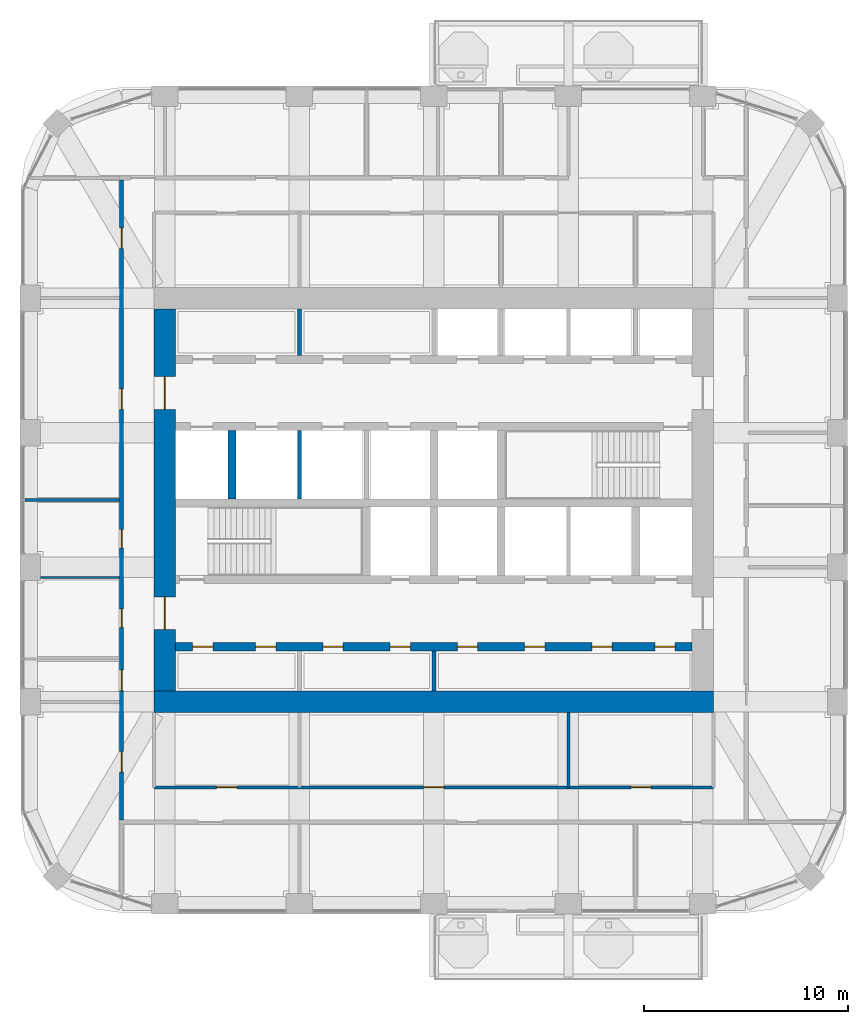
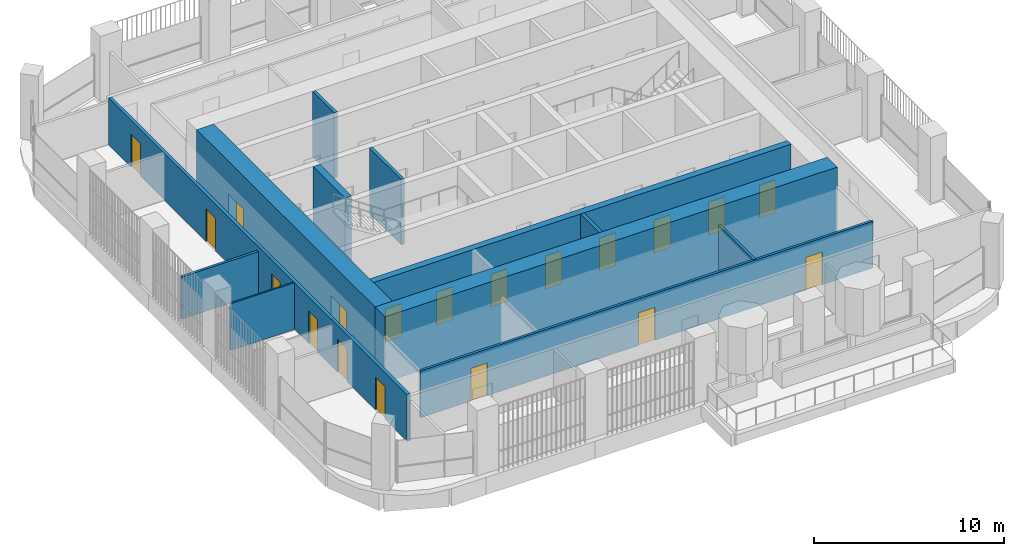
# One storey, part 14 of 21: 19 doors, 12 walls, 19 openings.
"""IFC4 building model written with IfcOpenShell, lengths in metres."""

from ifc_helpers import new_model, si_unit, direction, frame, frame_2d, origin, place, context, subcontext, project, spatial, rectangle, extrude, material, layer, layer_set, type_object, element, fill, save


model = new_model("IFC4")

# Units and contexts
model_context = context("Model", 3, precision=1e-05, world=origin(), true_north=direction((0.0, 1.0)))
body_context = subcontext(model_context, "Body", "Model", "MODEL_VIEW")
ifc_project = project(units=[si_unit("LENGTHUNIT", "METRE"), si_unit("AREAUNIT", "SQUARE_METRE"), si_unit("VOLUMEUNIT", "CUBIC_METRE"), si_unit("PLANEANGLEUNIT", "RADIAN"), si_unit("MASSUNIT", "GRAM", prefix="KILO")], contexts=[model_context])

# Site, building, storey
site_placement = place(None, origin())
site = spatial("IfcSite", under=ifc_project, at=site_placement, CompositionType="ELEMENT")
building_placement = place(site_placement, origin())
building = spatial("IfcBuilding", under=site, at=building_placement, Name="Cobogo Forest Laboratory Tower", CompositionType="ELEMENT")
storey_placement = place(building_placement, frame((0.0, 0.0, 241.800048828125)))
storey = spatial("IfcBuildingStorey", under=building, at=storey_placement, Name="L55", CompositionType="ELEMENT", Elevation=241.800048828125)

# Wall, openings, doors
ifc_material_1 = material(Name="Concrete HA-50 (C50/60)", Category="concrete")
ifc_layer_1 = layer(ifc_material_1, 0.39990234375)
ifc_layer_set_1 = layer_set([ifc_layer_1], Name="CI400 core inner wall 400")
wall_type_1 = type_object("IfcWallType", Name="CI400 core inner wall 400", PredefinedType="SHEAR", material=ifc_layer_set_1)
wall_1_placement = place(storey_placement, frame((13.72509765625, 15.89990234375, 0.0), z_axis=(0.0, 0.0, 1.0), x_axis=(1.0, 0.0, 0.0)))
wall_1 = element("IfcWall", 1, at=wall_1_placement, inside=storey, type_object=wall_type_1, Name="Core wall CI-15.9 L55", PredefinedType="SHEAR", context=body_context, shape_type="SweptSolid", body=[
    extrude(rectangle(XDim=25.349853515625, YDim=0.39990234375, at=frame_2d((12.6748046875, 0.0))), origin(), (0.0, 0.0, 1.0), 4.199951171875),
])
opening_1_placement = place(wall_1_placement, frame((0.83740234375, 0.0, 0.0)))
opening_1 = element("IfcOpeningElement", 2, at=opening_1_placement, cuts=wall_1, Name="Opening L55-D11", PredefinedType="OPENING", context=body_context, shape_type="SweptSolid", body=[
    extrude(rectangle(XDim=1.0, YDim=2.10009765625, at=frame_2d((0.5, 1.050048828125))), frame((0.0, 0.2099609375, 0.0), z_axis=(0.0, -1.0, 0.0), x_axis=(1.0, 0.0, 0.0)), (0.0, 0.0, 1.0), 0.419921875),
])
opening_2_placement = place(wall_1_placement, frame((3.925048828125, 0.0, 0.0)))
opening_2 = element("IfcOpeningElement", 3, at=opening_2_placement, cuts=wall_1, Name="Opening L55-D12", PredefinedType="OPENING", context=body_context, shape_type="SweptSolid", body=[
    extrude(rectangle(XDim=1.0, YDim=2.10009765625, at=frame_2d((0.5, 1.050048828125))), frame((0.0, 0.2099609375, 0.0), z_axis=(0.0, -1.0, 0.0), x_axis=(1.0, 0.0, 0.0)), (0.0, 0.0, 1.0), 0.419921875),
])
opening_3_placement = place(wall_1_placement, frame((7.22509765625, 0.0, 0.0)))
opening_3 = element("IfcOpeningElement", 4, at=opening_3_placement, cuts=wall_1, Name="Opening L55-D13", PredefinedType="OPENING", context=body_context, shape_type="SweptSolid", body=[
    extrude(rectangle(XDim=1.0, YDim=2.10009765625, at=frame_2d((0.5, 1.050048828125))), frame((0.0, 0.2099609375, 0.0), z_axis=(0.0, -1.0, 0.0), x_axis=(1.0, 0.0, 0.0)), (0.0, 0.0, 1.0), 0.419921875),
])
opening_4_placement = place(wall_1_placement, frame((10.52490234375, 0.0, 0.0)))
opening_4 = element("IfcOpeningElement", 5, at=opening_4_placement, cuts=wall_1, Name="Opening L55-D14", PredefinedType="OPENING", context=body_context, shape_type="SweptSolid", body=[
    extrude(rectangle(XDim=1.0, YDim=2.10009765625, at=frame_2d((0.5, 1.050048828125))), frame((0.0, 0.2099609375, 0.0), z_axis=(0.0, -1.0, 0.0), x_axis=(1.0, 0.0, 0.0)), (0.0, 0.0, 1.0), 0.419921875),
])
opening_5_placement = place(wall_1_placement, frame((13.824951171875, 0.0, 0.0)))
opening_5 = element("IfcOpeningElement", 6, at=opening_5_placement, cuts=wall_1, Name="Opening L55-D15", PredefinedType="OPENING", context=body_context, shape_type="SweptSolid", body=[
    extrude(rectangle(XDim=1.0, YDim=2.10009765625, at=frame_2d((0.5, 1.050048828125))), frame((0.0, 0.2099609375, 0.0), z_axis=(0.0, -1.0, 0.0), x_axis=(1.0, 0.0, 0.0)), (0.0, 0.0, 1.0), 0.419921875),
])
opening_6_placement = place(wall_1_placement, frame((17.125, 0.0, 0.0)))
opening_6 = element("IfcOpeningElement", 7, at=opening_6_placement, cuts=wall_1, Name="Opening L55-D16", PredefinedType="OPENING", context=body_context, shape_type="SweptSolid", body=[
    extrude(rectangle(XDim=1.0, YDim=2.10009765625, at=frame_2d((0.5, 1.050048828125))), frame((0.0, 0.2099609375, 0.0), z_axis=(0.0, -1.0, 0.0), x_axis=(1.0, 0.0, 0.0)), (0.0, 0.0, 1.0), 0.419921875),
])
opening_7_placement = place(wall_1_placement, frame((20.425048828125, 0.0, 0.0)))
opening_7 = element("IfcOpeningElement", 8, at=opening_7_placement, cuts=wall_1, Name="Opening L55-D17", PredefinedType="OPENING", context=body_context, shape_type="SweptSolid", body=[
    extrude(rectangle(XDim=1.0, YDim=2.10009765625, at=frame_2d((0.5, 1.050048828125))), frame((0.0, 0.2099609375, 0.0), z_axis=(0.0, -1.0, 0.0), x_axis=(1.0, 0.0, 0.0)), (0.0, 0.0, 1.0), 0.419921875),
])
opening_8_placement = place(wall_1_placement, frame((23.512451171875, 0.0, 0.0)))
opening_8 = element("IfcOpeningElement", 9, at=opening_8_placement, cuts=wall_1, Name="Opening L55-D18", PredefinedType="OPENING", context=body_context, shape_type="SweptSolid", body=[
    extrude(rectangle(XDim=1.0, YDim=2.10009765625, at=frame_2d((0.5, 1.050048828125))), frame((0.0, 0.2099609375, 0.0), z_axis=(0.0, -1.0, 0.0), x_axis=(1.0, 0.0, 0.0)), (0.0, 0.0, 1.0), 0.419921875),
])
ifc_material_2 = material(Name="Steel fire door", Category="steel")
door_type_1 = type_object("IfcDoorType", Name="FD1 fire door 1000 EI2 60", OperationType="SINGLE_SWING_LEFT", PredefinedType="DOOR", material=ifc_material_2)
door_1_placement = place(opening_1_placement, origin())
door_1 = element("IfcDoor", 10, at=door_1_placement, inside=storey, type_object=door_type_1, Name="Door L55-SH-LA1", OperationType="SINGLE_SWING_LEFT", OverallHeight=2.10009765625, OverallWidth=1.0, PredefinedType="DOOR", context=body_context, shape_type="SweptSolid", body=[
    extrude(rectangle(XDim=1.0, YDim=2.10009765625, at=frame_2d((0.5, 1.050048828125))), frame((0.0, 0.02490234375, 0.0), z_axis=(0.0, -1.0, 0.0), x_axis=(1.0, 0.0, 0.0)), (0.0, 0.0, 1.0), 0.050048828125),
])
fill(opening_1, door_1)
door_2_placement = place(opening_2_placement, origin())
door_2 = element("IfcDoor", 11, at=door_2_placement, inside=storey, type_object=door_type_1, Name="Door L55-SH-LA2", OperationType="SINGLE_SWING_LEFT", OverallHeight=2.10009765625, OverallWidth=1.0, PredefinedType="DOOR", context=body_context, shape_type="SweptSolid", body=[
    extrude(rectangle(XDim=1.0, YDim=2.10009765625, at=frame_2d((0.5, 1.050048828125))), frame((0.0, 0.02490234375, 0.0), z_axis=(0.0, -1.0, 0.0), x_axis=(1.0, 0.0, 0.0)), (0.0, 0.0, 1.0), 0.050048828125),
])
fill(opening_2, door_2)
door_3_placement = place(opening_3_placement, origin())
door_3 = element("IfcDoor", 12, at=door_3_placement, inside=storey, type_object=door_type_1, Name="Door L55-SH-LA3", OperationType="SINGLE_SWING_LEFT", OverallHeight=2.10009765625, OverallWidth=1.0, PredefinedType="DOOR", context=body_context, shape_type="SweptSolid", body=[
    extrude(rectangle(XDim=1.0, YDim=2.10009765625, at=frame_2d((0.5, 1.050048828125))), frame((0.0, 0.02490234375, 0.0), z_axis=(0.0, -1.0, 0.0), x_axis=(1.0, 0.0, 0.0)), (0.0, 0.0, 1.0), 0.050048828125),
])
fill(opening_3, door_3)
door_4_placement = place(opening_4_placement, origin())
door_4 = element("IfcDoor", 13, at=door_4_placement, inside=storey, type_object=door_type_1, Name="Door L55-SH-LA4", OperationType="SINGLE_SWING_LEFT", OverallHeight=2.10009765625, OverallWidth=1.0, PredefinedType="DOOR", context=body_context, shape_type="SweptSolid", body=[
    extrude(rectangle(XDim=1.0, YDim=2.10009765625, at=frame_2d((0.5, 1.050048828125))), frame((0.0, 0.02490234375, 0.0), z_axis=(0.0, -1.0, 0.0), x_axis=(1.0, 0.0, 0.0)), (0.0, 0.0, 1.0), 0.050048828125),
])
fill(opening_4, door_4)
door_5_placement = place(opening_5_placement, origin())
door_5 = element("IfcDoor", 14, at=door_5_placement, inside=storey, type_object=door_type_1, Name="Door L55-SH-LB1", OperationType="SINGLE_SWING_RIGHT", OverallHeight=2.10009765625, OverallWidth=1.0, PredefinedType="DOOR", context=body_context, shape_type="SweptSolid", body=[
    extrude(rectangle(XDim=1.0, YDim=2.10009765625, at=frame_2d((0.5, 1.050048828125))), frame((0.0, 0.02490234375, 0.0), z_axis=(0.0, -1.0, 0.0), x_axis=(1.0, 0.0, 0.0)), (0.0, 0.0, 1.0), 0.050048828125),
])
fill(opening_5, door_5)
door_6_placement = place(opening_6_placement, origin())
door_6 = element("IfcDoor", 15, at=door_6_placement, inside=storey, type_object=door_type_1, Name="Door L55-SH-LB2", OperationType="SINGLE_SWING_RIGHT", OverallHeight=2.10009765625, OverallWidth=1.0, PredefinedType="DOOR", context=body_context, shape_type="SweptSolid", body=[
    extrude(rectangle(XDim=1.0, YDim=2.10009765625, at=frame_2d((0.5, 1.050048828125))), frame((0.0, 0.02490234375, 0.0), z_axis=(0.0, -1.0, 0.0), x_axis=(1.0, 0.0, 0.0)), (0.0, 0.0, 1.0), 0.050048828125),
])
fill(opening_6, door_6)
door_7_placement = place(opening_7_placement, origin())
door_7 = element("IfcDoor", 16, at=door_7_placement, inside=storey, type_object=door_type_1, Name="Door L55-SH-LB3", OperationType="SINGLE_SWING_RIGHT", OverallHeight=2.10009765625, OverallWidth=1.0, PredefinedType="DOOR", context=body_context, shape_type="SweptSolid", body=[
    extrude(rectangle(XDim=1.0, YDim=2.10009765625, at=frame_2d((0.5, 1.050048828125))), frame((0.0, 0.02490234375, 0.0), z_axis=(0.0, -1.0, 0.0), x_axis=(1.0, 0.0, 0.0)), (0.0, 0.0, 1.0), 0.050048828125),
])
fill(opening_7, door_7)
door_8_placement = place(opening_8_placement, origin())
door_8 = element("IfcDoor", 17, at=door_8_placement, inside=storey, type_object=door_type_1, Name="Door L55-SH-LB4", OperationType="SINGLE_SWING_RIGHT", OverallHeight=2.10009765625, OverallWidth=1.0, PredefinedType="DOOR", context=body_context, shape_type="SweptSolid", body=[
    extrude(rectangle(XDim=1.0, YDim=2.10009765625, at=frame_2d((0.5, 1.050048828125))), frame((0.0, 0.02490234375, 0.0), z_axis=(0.0, -1.0, 0.0), x_axis=(1.0, 0.0, 0.0)), (0.0, 0.0, 1.0), 0.050048828125),
])
fill(opening_8, door_8)

# Walls
wall_2_placement = place(storey_placement, frame((16.5, 23.14990234375, 0.0), z_axis=(0.0, 0.0, 1.0), x_axis=(0.0, 1.0, 0.0)))
element("IfcWall", 18, at=wall_2_placement, inside=storey, type_object=wall_type_1, Name="Core wall CX-16.5 L55", PredefinedType="SHEAR", context=body_context, shape_type="SweptSolid", body=[
    extrude(rectangle(XDim=3.35009765625, YDim=0.39990234375, at=frame_2d((1.675048828125, 0.0))), origin(), (0.0, 0.0, 1.0), 4.199951171875),
])
ifc_layer_2 = layer(ifc_material_1, 1.050048828125)
ifc_layer_set_2 = layer_set([ifc_layer_2], Name="CW1050 core outer wall 1050")
wall_type_2 = type_object("IfcWallType", Name="CW1050 core outer wall 1050", PredefinedType="SHEAR", material=ifc_layer_set_2)
wall_3_placement = place(storey_placement, frame((12.675048828125, 13.199951171875, 0.0), z_axis=(0.0, 0.0, 1.0), x_axis=(1.0, 0.0, 0.0)))
element("IfcWall", 19, at=wall_3_placement, inside=storey, type_object=wall_type_2, Name="Core wall CO-S L55", PredefinedType="SHEAR", context=body_context, shape_type="SweptSolid", body=[
    extrude(rectangle(XDim=27.449951171875, YDim=1.050048828125, at=frame_2d((13.72509765625, 0.0))), origin(), (0.0, 0.0, 1.0), 4.199951171875),
])

# Wall, openings, doors
wall_4_placement = place(storey_placement, frame((13.199951171875, 32.47509765625, 0.0), z_axis=(0.0, 0.0, 1.0), x_axis=(0.0, -1.0, 0.0)))
wall_4 = element("IfcWall", 20, at=wall_4_placement, inside=storey, type_object=wall_type_2, Name="Core wall CO-W L55", PredefinedType="SHEAR", context=body_context, shape_type="SweptSolid", body=[
    extrude(rectangle(XDim=18.75, YDim=1.050048828125, at=frame_2d((9.375, 0.0))), origin(), (0.0, 0.0, 1.0), 4.199951171875),
])
opening_9_placement = place(wall_4_placement, frame((14.125, 0.0, 0.0)))
opening_9 = element("IfcOpeningElement", 21, at=opening_9_placement, cuts=wall_4, Name="Opening L55-D20", PredefinedType="OPENING", context=body_context, shape_type="SweptSolid", body=[
    extrude(rectangle(XDim=1.60009765625, YDim=2.10009765625, at=frame_2d((0.800048828125, 1.050048828125))), frame((0.0, 0.534912109375, 0.0), z_axis=(0.0, -1.0, 0.0), x_axis=(1.0, 0.0, 0.0)), (0.0, 0.0, 1.0), 1.070068359375),
])
opening_10_placement = place(wall_4_placement, frame((3.324951171875, 0.0, 0.0)))
opening_10 = element("IfcOpeningElement", 22, at=opening_10_placement, cuts=wall_4, Name="Opening L55-D30", PredefinedType="OPENING", context=body_context, shape_type="SweptSolid", body=[
    extrude(rectangle(XDim=1.60009765625, YDim=2.10009765625, at=frame_2d((0.800048828125, 1.050048828125))), frame((0.0, 0.534912109375, 0.0), z_axis=(0.0, -1.0, 0.0), x_axis=(1.0, 0.0, 0.0)), (0.0, 0.0, 1.0), 1.070068359375),
])
door_type_2 = type_object("IfcDoorType", Name="DS2 protected lobby door pair 1600 EI2 60", OperationType="DOUBLE_DOOR_DOUBLE_SWING", PredefinedType="DOOR", material=ifc_material_2)
door_9_placement = place(opening_9_placement, origin())
door_9 = element("IfcDoor", 23, at=door_9_placement, inside=storey, type_object=door_type_2, Name="Door L55-CO-W-S", OperationType="DOUBLE_DOOR_DOUBLE_SWING", OverallHeight=2.10009765625, OverallWidth=1.60009765625, PredefinedType="DOOR", context=body_context, shape_type="SweptSolid", body=[
    extrude(rectangle(XDim=1.60009765625, YDim=2.10009765625, at=frame_2d((0.800048828125, 1.050048828125))), frame((0.0, 0.02490234375, 0.0), z_axis=(0.0, -1.0, 0.0), x_axis=(1.0, 0.0, 0.0)), (0.0, 0.0, 1.0), 0.050048828125),
])
fill(opening_9, door_9)
door_10_placement = place(opening_10_placement, origin())
door_10 = element("IfcDoor", 24, at=door_10_placement, inside=storey, type_object=door_type_2, Name="Door L55-CO-W-N", OperationType="DOUBLE_DOOR_DOUBLE_SWING", OverallHeight=2.10009765625, OverallWidth=1.60009765625, PredefinedType="DOOR", context=body_context, shape_type="SweptSolid", body=[
    extrude(rectangle(XDim=1.60009765625, YDim=2.10009765625, at=frame_2d((0.800048828125, 1.050048828125))), frame((0.0, 0.02490234375, 0.0), z_axis=(0.0, -1.0, 0.0), x_axis=(1.0, 0.0, 0.0)), (0.0, 0.0, 1.0), 0.050048828125),
])
fill(opening_10, door_10)

ifc_material_3 = material(Name="Gypsum board on steel studs", Category="steel")
ifc_layer_3 = layer(ifc_material_3, 0.14990234375)
ifc_layer_set_3 = layer_set([ifc_layer_3], Name="PT1 laboratory partition 150")
wall_type_3 = type_object("IfcWallType", Name="PT1 laboratory partition 150", PredefinedType="PARTITIONING", material=ifc_layer_set_3)
wall_5_placement = place(storey_placement, frame((12.675048828125, 9.0, 0.0), z_axis=(0.0, 0.0, 1.0), x_axis=(1.0, 0.0, 0.0)))
wall_5 = element("IfcWall", 25, at=wall_5_placement, inside=storey, type_object=wall_type_3, Name="Partition CSTRIP-S L55", PredefinedType="PARTITIONING", context=body_context, shape_type="SweptSolid", body=[
    extrude(rectangle(XDim=27.449951171875, YDim=0.14990234375, at=frame_2d((13.72509765625, 0.0))), origin(), (0.0, 0.0, 1.0), 3.0),
])
opening_11_placement = place(wall_5_placement, frame((3.0625, 0.0, 0.0)))
opening_11 = element("IfcOpeningElement", 26, at=opening_11_placement, cuts=wall_5, Name="Opening L55-D05", PredefinedType="OPENING", context=body_context, shape_type="SweptSolid", body=[
    extrude(rectangle(XDim=1.0, YDim=2.10009765625, at=frame_2d((0.5, 1.050048828125))), frame((0.0, 0.0849609375, 0.0), z_axis=(0.0, -1.0, 0.0), x_axis=(1.0, 0.0, 0.0)), (0.0, 0.0, 1.0), 0.169921875),
])
opening_12_placement = place(wall_5_placement, frame((13.22509765625, 0.0, 0.0)))
opening_12 = element("IfcOpeningElement", 27, at=opening_12_placement, cuts=wall_5, Name="Opening L55-D06", PredefinedType="OPENING", context=body_context, shape_type="SweptSolid", body=[
    extrude(rectangle(XDim=1.0, YDim=2.10009765625, at=frame_2d((0.5, 1.050048828125))), frame((0.0, 0.0849609375, 0.0), z_axis=(0.0, -1.0, 0.0), x_axis=(1.0, 0.0, 0.0)), (0.0, 0.0, 1.0), 0.169921875),
])
opening_13_placement = place(wall_5_placement, frame((23.387451171875, 0.0, 0.0)))
opening_13 = element("IfcOpeningElement", 28, at=opening_13_placement, cuts=wall_5, Name="Opening L55-D07", PredefinedType="OPENING", context=body_context, shape_type="SweptSolid", body=[
    extrude(rectangle(XDim=1.0, YDim=2.10009765625, at=frame_2d((0.5, 1.050048828125))), frame((0.0, 0.0849609375, 0.0), z_axis=(0.0, -1.0, 0.0), x_axis=(1.0, 0.0, 0.0)), (0.0, 0.0, 1.0), 0.169921875),
])
ifc_material_4 = material(Name="Timber fire door", Category="wood")
door_type_3 = type_object("IfcDoorType", Name="FD2 fire door 1000 EI2 30", OperationType="SINGLE_SWING_LEFT", PredefinedType="DOOR", material=ifc_material_4)
door_11_placement = place(opening_11_placement, origin())
door_11 = element("IfcDoor", 29, at=door_11_placement, inside=storey, type_object=door_type_3, Name="Door L55-CSS1", OperationType="SINGLE_SWING_LEFT", OverallHeight=2.10009765625, OverallWidth=1.0, PredefinedType="DOOR", context=body_context, shape_type="SweptSolid", body=[
    extrude(rectangle(XDim=1.0, YDim=2.10009765625, at=frame_2d((0.5, 1.050048828125))), frame((0.0, 0.02490234375, 0.0), z_axis=(0.0, -1.0, 0.0), x_axis=(1.0, 0.0, 0.0)), (0.0, 0.0, 1.0), 0.050048828125),
])
fill(opening_11, door_11)
door_12_placement = place(opening_12_placement, origin())
door_12 = element("IfcDoor", 30, at=door_12_placement, inside=storey, type_object=door_type_3, Name="Door L55-CSS2", OperationType="SINGLE_SWING_RIGHT", OverallHeight=2.10009765625, OverallWidth=1.0, PredefinedType="DOOR", context=body_context, shape_type="SweptSolid", body=[
    extrude(rectangle(XDim=1.0, YDim=2.10009765625, at=frame_2d((0.5, 1.050048828125))), frame((0.0, 0.02490234375, 0.0), z_axis=(0.0, -1.0, 0.0), x_axis=(1.0, 0.0, 0.0)), (0.0, 0.0, 1.0), 0.050048828125),
])
fill(opening_12, door_12)
door_13_placement = place(opening_13_placement, origin())
door_13 = element("IfcDoor", 31, at=door_13_placement, inside=storey, type_object=door_type_3, Name="Door L55-CSS3", OperationType="SINGLE_SWING_RIGHT", OverallHeight=2.10009765625, OverallWidth=1.0, PredefinedType="DOOR", context=body_context, shape_type="SweptSolid", body=[
    extrude(rectangle(XDim=1.0, YDim=2.10009765625, at=frame_2d((0.5, 1.050048828125))), frame((0.0, 0.02490234375, 0.0), z_axis=(0.0, -1.0, 0.0), x_axis=(1.0, 0.0, 0.0)), (0.0, 0.0, 1.0), 0.050048828125),
])
fill(opening_13, door_13)

# Walls
wall_6_placement = place(storey_placement, frame((33.0, 12.675048828125, 0.0), z_axis=(0.0, 0.0, 1.0), x_axis=(0.0, -1.0, 0.0)))
element("IfcWall", 32, at=wall_6_placement, inside=storey, type_object=wall_type_3, Name="Partition CSTRIP-S33 L55", PredefinedType="PARTITIONING", context=body_context, shape_type="SweptSolid", body=[
    extrude(rectangle(XDim=3.675048828125, YDim=0.14990234375, at=frame_2d((1.83740234375, 0.0))), origin(), (0.0, 0.0, 1.0), 3.0),
])
wall_7_placement = place(storey_placement, frame((6.330078125, 23.10009765625, 0.0), z_axis=(0.0, 0.0, 1.0), x_axis=(1.0, 0.0, 0.0)))
element("IfcWall", 33, at=wall_7_placement, inside=storey, type_object=wall_type_3, Name="Partition SVC-W3-1 L55", PredefinedType="PARTITIONING", context=body_context, shape_type="SweptSolid", body=[
    extrude(rectangle(XDim=4.64501953125, YDim=0.14990234375, at=frame_2d((2.322509765625, 0.0))), origin(), (0.0, 0.0, 1.0), 2.699951171875),
])

# Wall, openings, doors
ifc_layer_4 = layer(ifc_material_3, 0.199951171875)
ifc_layer_set_4 = layer_set([ifc_layer_4], Name="PT2 fire-rated corridor partition 200")
wall_type_4 = type_object("IfcWallType", Name="PT2 fire-rated corridor partition 200", PredefinedType="PARTITIONING", material=ifc_layer_set_4)
wall_8_placement = place(storey_placement, frame((11.074951171875, 7.39990234375, 0.0), z_axis=(0.0, 0.0, 1.0), x_axis=(0.0, 1.0, 0.0)))
wall_8 = element("IfcWall", 34, at=wall_8_placement, inside=storey, type_object=wall_type_4, Name="Partition CORR-W L55", PredefinedType="PARTITIONING", context=body_context, shape_type="SweptSolid", body=[
    extrude(rectangle(XDim=31.400146484375, YDim=0.199951171875, at=frame_2d((15.7001953125, 0.0))), origin(), (0.0, 0.0, 1.0), 3.0),
])
opening_14_placement = place(wall_8_placement, frame((2.35009765625, 0.0, 0.0)))
opening_14 = element("IfcOpeningElement", 35, at=opening_14_placement, cuts=wall_8, Name="Opening L55-D08", PredefinedType="OPENING", context=body_context, shape_type="SweptSolid", body=[
    extrude(rectangle(XDim=1.0, YDim=2.10009765625, at=frame_2d((0.5, 1.050048828125))), frame((0.0, 0.10986328125, 0.0), z_axis=(0.0, -1.0, 0.0), x_axis=(1.0, 0.0, 0.0)), (0.0, 0.0, 1.0), 0.219970703125),
])
opening_15_placement = place(wall_8_placement, frame((6.35009765625, 0.0, 0.0)))
opening_15 = element("IfcOpeningElement", 36, at=opening_15_placement, cuts=wall_8, Name="Opening L55-D10", PredefinedType="OPENING", context=body_context, shape_type="SweptSolid", body=[
    extrude(rectangle(XDim=1.0, YDim=2.10009765625, at=frame_2d((0.5, 1.050048828125))), frame((0.0, 0.10986328125, 0.0), z_axis=(0.0, -1.0, 0.0), x_axis=(1.0, 0.0, 0.0)), (0.0, 0.0, 1.0), 0.219970703125),
])
opening_16_placement = place(wall_8_placement, frame((9.449951171875, 0.0, 0.0)))
opening_16 = element("IfcOpeningElement", 37, at=opening_16_placement, cuts=wall_8, Name="Opening L55-D19", PredefinedType="OPENING", context=body_context, shape_type="SweptSolid", body=[
    extrude(rectangle(XDim=0.89990234375, YDim=2.10009765625, at=frame_2d((0.449951171875, 1.050048828125))), frame((0.0, 0.10986328125, 0.0), z_axis=(0.0, -1.0, 0.0), x_axis=(1.0, 0.0, 0.0)), (0.0, 0.0, 1.0), 0.219970703125),
])
opening_17_placement = place(wall_8_placement, frame((13.35009765625, 0.0, 0.0)))
opening_17 = element("IfcOpeningElement", 38, at=opening_17_placement, cuts=wall_8, Name="Opening L55-D25", PredefinedType="OPENING", context=body_context, shape_type="SweptSolid", body=[
    extrude(rectangle(XDim=0.89990234375, YDim=2.10009765625, at=frame_2d((0.449951171875, 1.050048828125))), frame((0.0, 0.10986328125, 0.0), z_axis=(0.0, -1.0, 0.0), x_axis=(1.0, 0.0, 0.0)), (0.0, 0.0, 1.0), 0.219970703125),
])
opening_18_placement = place(wall_8_placement, frame((20.14990234375, 0.0, 0.0)))
opening_18 = element("IfcOpeningElement", 39, at=opening_18_placement, cuts=wall_8, Name="Opening L55-D29", PredefinedType="OPENING", context=body_context, shape_type="SweptSolid", body=[
    extrude(rectangle(XDim=1.0, YDim=2.10009765625, at=frame_2d((0.5, 1.050048828125))), frame((0.0, 0.10986328125, 0.0), z_axis=(0.0, -1.0, 0.0), x_axis=(1.0, 0.0, 0.0)), (0.0, 0.0, 1.0), 0.219970703125),
])
opening_19_placement = place(wall_8_placement, frame((28.050048828125, 0.0, 0.0)))
opening_19 = element("IfcOpeningElement", 40, at=opening_19_placement, cuts=wall_8, Name="Opening L55-D37", PredefinedType="OPENING", context=body_context, shape_type="SweptSolid", body=[
    extrude(rectangle(XDim=1.0, YDim=2.10009765625, at=frame_2d((0.5, 1.050048828125))), frame((0.0, 0.10986328125, 0.0), z_axis=(0.0, -1.0, 0.0), x_axis=(1.0, 0.0, 0.0)), (0.0, 0.0, 1.0), 0.219970703125),
])
door_14_placement = place(opening_14_placement, origin())
door_14 = element("IfcDoor", 41, at=door_14_placement, inside=storey, type_object=door_type_3, Name="Door L55-W1", OperationType="SINGLE_SWING_LEFT", OverallHeight=2.10009765625, OverallWidth=1.0, PredefinedType="DOOR", context=body_context, shape_type="SweptSolid", body=[
    extrude(rectangle(XDim=1.0, YDim=2.10009765625, at=frame_2d((0.5, 1.050048828125))), frame((0.0, 0.02490234375, 0.0), z_axis=(0.0, -1.0, 0.0), x_axis=(1.0, 0.0, 0.0)), (0.0, 0.0, 1.0), 0.050048828125),
])
fill(opening_14, door_14)
door_15_placement = place(opening_18_placement, origin())
door_15 = element("IfcDoor", 42, at=door_15_placement, inside=storey, type_object=door_type_3, Name="Door L55-W2", OperationType="SINGLE_SWING_RIGHT", OverallHeight=2.10009765625, OverallWidth=1.0, PredefinedType="DOOR", context=body_context, shape_type="SweptSolid", body=[
    extrude(rectangle(XDim=1.0, YDim=2.10009765625, at=frame_2d((0.5, 1.050048828125))), frame((0.0, 0.02490234375, 0.0), z_axis=(0.0, -1.0, 0.0), x_axis=(1.0, 0.0, 0.0)), (0.0, 0.0, 1.0), 0.050048828125),
])
fill(opening_18, door_15)
door_16_placement = place(opening_19_placement, origin())
door_16 = element("IfcDoor", 43, at=door_16_placement, inside=storey, type_object=door_type_3, Name="Door L55-W3", OperationType="SINGLE_SWING_RIGHT", OverallHeight=2.10009765625, OverallWidth=1.0, PredefinedType="DOOR", context=body_context, shape_type="SweptSolid", body=[
    extrude(rectangle(XDim=1.0, YDim=2.10009765625, at=frame_2d((0.5, 1.050048828125))), frame((0.0, 0.02490234375, 0.0), z_axis=(0.0, -1.0, 0.0), x_axis=(1.0, 0.0, 0.0)), (0.0, 0.0, 1.0), 0.050048828125),
])
fill(opening_19, door_16)
door_type_4 = type_object("IfcDoorType", Name="FD3 toilet fire door 900 EI2 30", OperationType="SINGLE_SWING_LEFT", PredefinedType="DOOR", material=ifc_material_4)
door_17_placement = place(opening_16_placement, origin())
door_17 = element("IfcDoor", 44, at=door_17_placement, inside=storey, type_object=door_type_4, Name="Door L55-WCF", OperationType="SINGLE_SWING_LEFT", OverallHeight=2.10009765625, OverallWidth=0.89990234375, PredefinedType="DOOR", context=body_context, shape_type="SweptSolid", body=[
    extrude(rectangle(XDim=0.89990234375, YDim=2.10009765625, at=frame_2d((0.449951171875, 1.050048828125))), frame((0.0, 0.02490234375, 0.0), z_axis=(0.0, -1.0, 0.0), x_axis=(1.0, 0.0, 0.0)), (0.0, 0.0, 1.0), 0.050048828125),
])
fill(opening_16, door_17)
door_18_placement = place(opening_17_placement, origin())
door_18 = element("IfcDoor", 45, at=door_18_placement, inside=storey, type_object=door_type_4, Name="Door L55-WCM", OperationType="SINGLE_SWING_LEFT", OverallHeight=2.10009765625, OverallWidth=0.89990234375, PredefinedType="DOOR", context=body_context, shape_type="SweptSolid", body=[
    extrude(rectangle(XDim=0.89990234375, YDim=2.10009765625, at=frame_2d((0.449951171875, 1.050048828125))), frame((0.0, 0.02490234375, 0.0), z_axis=(0.0, -1.0, 0.0), x_axis=(1.0, 0.0, 0.0)), (0.0, 0.0, 1.0), 0.050048828125),
])
fill(opening_17, door_18)
door_type_5 = type_object("IfcDoorType", Name="FDA1 accessible toilet fire door 1000 EI2 30", OperationType="SINGLE_SWING_RIGHT", PredefinedType="DOOR", material=ifc_material_4)
door_19_placement = place(opening_15_placement, origin())
door_19 = element("IfcDoor", 46, at=door_19_placement, inside=storey, type_object=door_type_5, Name="Door L55-WCA", OperationType="SINGLE_SWING_LEFT", OverallHeight=2.10009765625, OverallWidth=1.0, PredefinedType="DOOR", context=body_context, shape_type="SweptSolid", body=[
    extrude(rectangle(XDim=1.0, YDim=2.10009765625, at=frame_2d((0.5, 1.050048828125))), frame((0.0, 0.02490234375, 0.0), z_axis=(0.0, -1.0, 0.0), x_axis=(1.0, 0.0, 0.0)), (0.0, 0.0, 1.0), 0.050048828125),
])
fill(opening_15, door_19)

# Walls
ifc_layer_5 = layer(ifc_material_3, 0.10009765625)
ifc_layer_set_5 = layer_set([ifc_layer_5], Name="PT3 toilet partition 100")
wall_type_5 = type_object("IfcWallType", Name="PT3 toilet partition 100", PredefinedType="PARTITIONING", material=ifc_layer_set_5)
wall_9_placement = place(storey_placement, frame((7.10009765625, 19.300048828125, 0.0), z_axis=(0.0, 0.0, 1.0), x_axis=(1.0, 0.0, 0.0)))
element("IfcWall", 47, at=wall_9_placement, inside=storey, type_object=wall_type_5, Name="Partition SVC-W2-1 L55", PredefinedType="PARTITIONING", context=body_context, shape_type="SweptSolid", body=[
    extrude(rectangle(XDim=3.875, YDim=0.10009765625, at=frame_2d((1.9375, 0.0))), origin(), (0.0, 0.0, 1.0), 3.0),
])
ifc_material_5 = material(Name="Concrete block", Category="concrete")
ifc_layer_6 = layer(ifc_material_5, 0.199951171875)
ifc_layer_set_6 = layer_set([ifc_layer_6], Name="SW200 lift shaft separator 200")
wall_type_6 = type_object("IfcWallType", Name="SW200 lift shaft separator 200", PredefinedType="PARTITIONING", material=ifc_layer_set_6)
wall_10_placement = place(storey_placement, frame((19.800048828125, 30.199951171875, 0.0), z_axis=(0.0, 0.0, 1.0), x_axis=(0.0, 1.0, 0.0)))
element("IfcWall", 48, at=wall_10_placement, inside=storey, type_object=wall_type_6, Name="Core wall SEP-N2 L55", PredefinedType="PARTITIONING", context=body_context, shape_type="SweptSolid", body=[
    extrude(rectangle(XDim=2.275146484375, YDim=0.199951171875, at=frame_2d((1.1376953125, 0.0))), origin(), (0.0, 0.0, 1.0), 4.199951171875),
])
wall_11_placement = place(storey_placement, frame((26.39990234375, 13.72509765625, 0.0), z_axis=(0.0, 0.0, 1.0), x_axis=(0.0, 1.0, 0.0)))
element("IfcWall", 49, at=wall_11_placement, inside=storey, type_object=wall_type_6, Name="Core wall SEP-S4 L55", PredefinedType="PARTITIONING", context=body_context, shape_type="SweptSolid", body=[
    extrude(rectangle(XDim=1.974853515625, YDim=0.199951171875, at=frame_2d((0.9873046875, 0.0))), origin(), (0.0, 0.0, 1.0), 4.199951171875),
])
wall_12_placement = place(storey_placement, frame((19.800048828125, 23.14990234375, 0.0), z_axis=(0.0, 0.0, 1.0), x_axis=(0.0, 1.0, 0.0)))
element("IfcWall", 50, at=wall_12_placement, inside=storey, type_object=wall_type_6, Name="Core wall SEP-M19.8 L55", PredefinedType="PARTITIONING", context=body_context, shape_type="SweptSolid", body=[
    extrude(rectangle(XDim=3.35009765625, YDim=0.199951171875, at=frame_2d((1.675048828125, 0.0))), origin(), (0.0, 0.0, 1.0), 4.199951171875),
])

save(model, "model.ifc")
